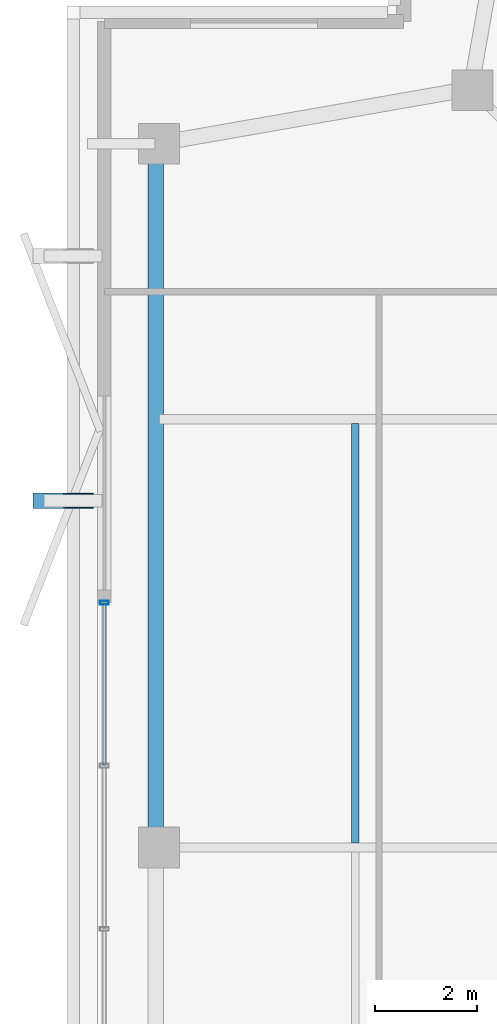
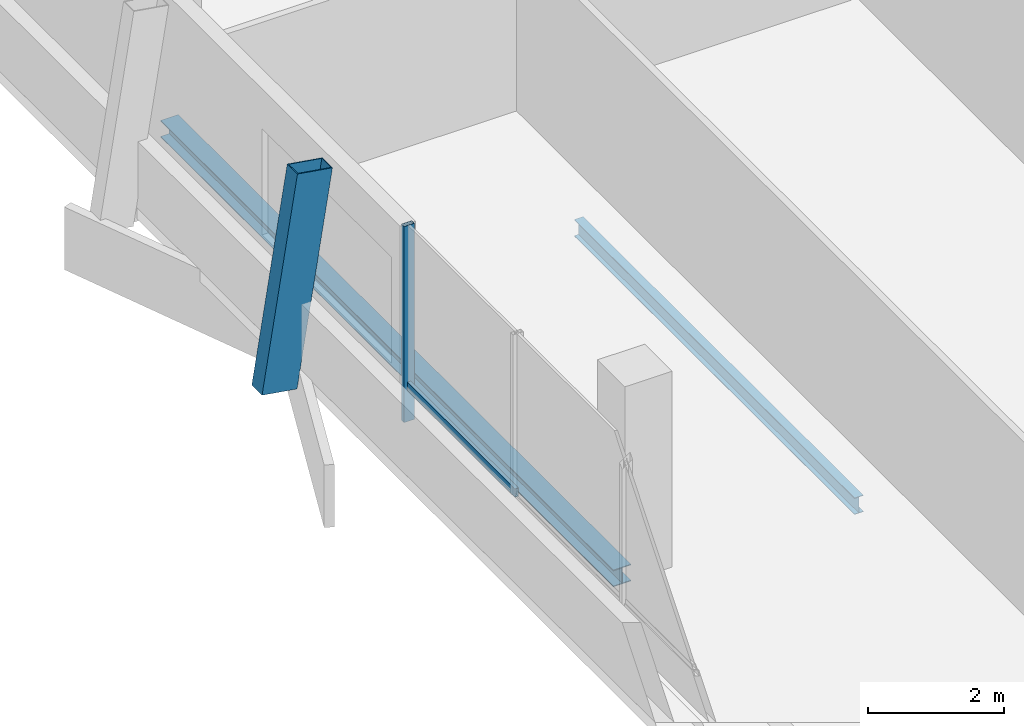
# One storey, part 5 of 17: 3 members, 2 beams, 1 element without a shape of its own.
"""IFC4 building model written with IfcOpenShell, lengths in metres."""

from ifc_helpers import new_model, si_unit, direction, frame, origin, origin_2d, place, context, subcontext, project, spatial, hollow_rectangle, i_section, extrude, material, layer, layer_set, material_profile, profile_set, type_object, element, aggregate, save


model = new_model("IFC4")

# Units and contexts
model_context = context("Model", 3, precision=1e-05, world=origin(), true_north=direction((0.0, 1.0)))
body_context = subcontext(model_context, "Body", "Model", "MODEL_VIEW")
ifc_project = project(units=[si_unit("LENGTHUNIT", "METRE"), si_unit("AREAUNIT", "SQUARE_METRE"), si_unit("VOLUMEUNIT", "CUBIC_METRE"), si_unit("PLANEANGLEUNIT", "RADIAN"), si_unit("MASSUNIT", "GRAM", prefix="KILO")], contexts=[model_context])

# Site, building, storey
site_placement = place(None, origin())
site = spatial("IfcSite", under=ifc_project, at=site_placement, CompositionType="ELEMENT")
building_placement = place(site_placement, origin())
building = spatial("IfcBuilding", under=site, at=building_placement, Name="Belovzor Exchange Tower", CompositionType="ELEMENT")
storey_placement = place(building_placement, frame((0.0, 0.0, 333.0)))
storey = spatial("IfcBuildingStorey", under=building, at=storey_placement, Name="L83", CompositionType="ELEMENT", Elevation=333.0)

# Beam
ifc_material_1 = material(Name="Steel S355", Category="steel")
ifc_material_profile_1 = material_profile(ifc_material_1, i_section(OverallWidth=0.14990234375, OverallDepth=0.300048828125, WebThickness=0.007080078125, FlangeThickness=0.0107421875, at=origin_2d()))
ifc_profile_set_1 = profile_set([ifc_material_profile_1], Name="Steel S355")
beam_type_1 = type_object("IfcBeamType", Name="Secondary Trim Floor Joist IPE 300", PredefinedType="BEAM", material=ifc_profile_set_1)
beam_1_placement = place(storey_placement, frame((11.64892578125, 28.889892578125, -0.389892578125), z_axis=(0.0, 1.0, 0.0), x_axis=(-1.0, 0.0, 0.0)))
element("IfcBeam", 1, at=beam_1_placement, inside=storey, type_object=beam_type_1, Name="FJ-300 Secondary Trim Floor Joist IPE 300", PredefinedType="BEAM", context=body_context, shape_type="SweptSolid", body=[
    extrude(i_section(OverallWidth=0.14990234375, OverallDepth=0.300048828125, WebThickness=0.007080078125, FlangeThickness=0.0107421875, at=origin_2d()), origin(), (0.0, 0.0, 1.0), 8.22021484375),
])

# Curtain wall, members
ifc_material_2 = material(Name="Anodised Aluminium Framing", Category="aluminium")
ifc_layer = layer(ifc_material_2, 0.179931640625)
ifc_layer_set = layer_set([ifc_layer], Name="Anodised Aluminium Framing")
curtain_wall_type = type_object("IfcCurtainWallType", Name="Recessed Loggia Low-Iron Triple-Glazed Curtain Wall", PredefinedType="NOTDEFINED", material=ifc_layer_set)
curtain_wall_placement = place(storey_placement, origin())
curtain_wall = element("IfcCurtainWall", 2, at=curtain_wall_placement, inside=storey, type_object=curtain_wall_type, Name="CW3 Recessed Loggia Low-Iron Triple-Glazed Curtain Wall L83", PredefinedType="NOTDEFINED")
ifc_material_3 = material(Name="Steel S355", Category="steel")
ifc_material_profile_2 = material_profile(ifc_material_3, hollow_rectangle(XDim=0.074951171875, YDim=0.179931640625, WallThickness=0.0048828125, at=origin_2d()))
ifc_profile_set_2 = profile_set([ifc_material_profile_2], Name="Steel S355")
member_type_1 = type_object("IfcMemberType", Name="Thermally Broken Curtain Wall Mullion 180x75", PredefinedType="MULLION", material=ifc_profile_set_2)
member_1_placement = place(storey_placement, frame((6.72998046875, 33.60009765625, 0.0), z_axis=(0.0, 0.0, 1.0), x_axis=(0.0, 1.0, 0.0)))
member_1 = element("IfcMember", 3, at=member_1_placement, type_object=member_type_1, Name="CW-M180 Curtain Wall Mullion 4", PredefinedType="MULLION", context=body_context, shape_type="SweptSolid", body=[
    extrude(hollow_rectangle(XDim=0.074951171875, YDim=0.179931640625, WallThickness=0.0048828125, at=origin_2d()), origin(), (0.0, 0.0, 1.0), 3.510009765625),
])
ifc_material_4 = material(Name="Steel S355", Category="steel")
ifc_material_profile_3 = material_profile(ifc_material_4, hollow_rectangle(XDim=0.06005859375, YDim=0.14990234375, WallThickness=0.00390625, at=origin_2d()))
ifc_profile_set_3 = profile_set([ifc_material_profile_3], Name="Steel S355")
member_type_2 = type_object("IfcMemberType", Name="Thermally Broken Curtain Wall Transom 150x60", PredefinedType="USERDEFINED", material=ifc_profile_set_3)
member_2_placement = place(storey_placement, frame((6.72998046875, 30.407958984375, 0.632080078125), z_axis=(0.0, 1.0, 0.0), x_axis=(-1.0, 0.0, 0.0)))
member_2 = element("IfcMember", 4, at=member_2_placement, type_object=member_type_2, Name="CW-T150 Curtain Wall Transom 3", ObjectType="TRANSOM", PredefinedType="USERDEFINED", context=body_context, shape_type="SweptSolid", body=[
    extrude(hollow_rectangle(XDim=0.06005859375, YDim=0.14990234375, WallThickness=0.00390625, at=origin_2d()), origin(), (0.0, 0.0, 1.0), 3.18408203125),
])
aggregate(curtain_wall, [member_1, member_2])

# Member
ifc_material_5 = material(Name="Extruded Architectural Terracotta on Steel S355 Carrier", Category="masonry")
ifc_material_profile_4 = material_profile(ifc_material_5, hollow_rectangle(XDim=0.300048828125, YDim=0.60009765625, WallThickness=0.01611328125, at=origin_2d()))
ifc_profile_set_4 = profile_set([ifc_material_profile_4], Name="Extruded Architectural Terracotta on Steel S355 Carrier")
member_type_3 = type_object("IfcMemberType", Name="Upper Crown Terracotta Fin Assembly 550", PredefinedType="USERDEFINED", material=ifc_profile_set_4)
member_3_placement = place(storey_placement, frame((5.625, 35.60009765625, -0.239990234375), z_axis=(0.158015573692, 0.0, 0.987436619977), x_axis=(0.0, 1.0, 0.0)))
element("IfcMember", 5, at=member_3_placement, inside=storey, type_object=member_type_3, Name="FIN-TC055 Terracotta Facade Fin L83 W3", ObjectType="FIN", PredefinedType="USERDEFINED", context=body_context, shape_type="SweptSolid", body=[
    extrude(hollow_rectangle(XDim=0.300048828125, YDim=0.60009765625, WallThickness=0.01611328125, at=origin_2d()), origin(), (0.0, 0.0, 1.0), 3.797607421875),
])

# Beam
ifc_material_6 = material(Name="Steel S355", Category="steel")
ifc_material_profile_5 = material_profile(ifc_material_6, i_section(OverallWidth=0.300048828125, OverallDepth=0.300048828125, WebThickness=0.008544921875, FlangeThickness=0.013916015625, at=origin_2d()))
ifc_profile_set_5 = profile_set([ifc_material_profile_5], Name="Steel S355")
beam_type_2 = type_object("IfcBeamType", Name="Zone 6 Primary Girder HEA 300", PredefinedType="BEAM", material=ifc_profile_set_5)
beam_2_placement = place(storey_placement, frame((7.738037109375, 42.339111328125, -0.389892578125), z_axis=(0.0, -1.0, 0.0), x_axis=(1.0, 0.0, 0.0)))
element("IfcBeam", 6, at=beam_2_placement, inside=storey, type_object=beam_type_2, Name="FG-Z6 Zone 6 Primary Girder HEA 300", PredefinedType="BEAM", context=body_context, shape_type="SweptSolid", body=[
    extrude(i_section(OverallWidth=0.300048828125, OverallDepth=0.300048828125, WebThickness=0.008544921875, FlangeThickness=0.013916015625, at=origin_2d()), origin(), (0.0, 0.0, 1.0), 13.278076171875),
])

save(model, "model.ifc")
